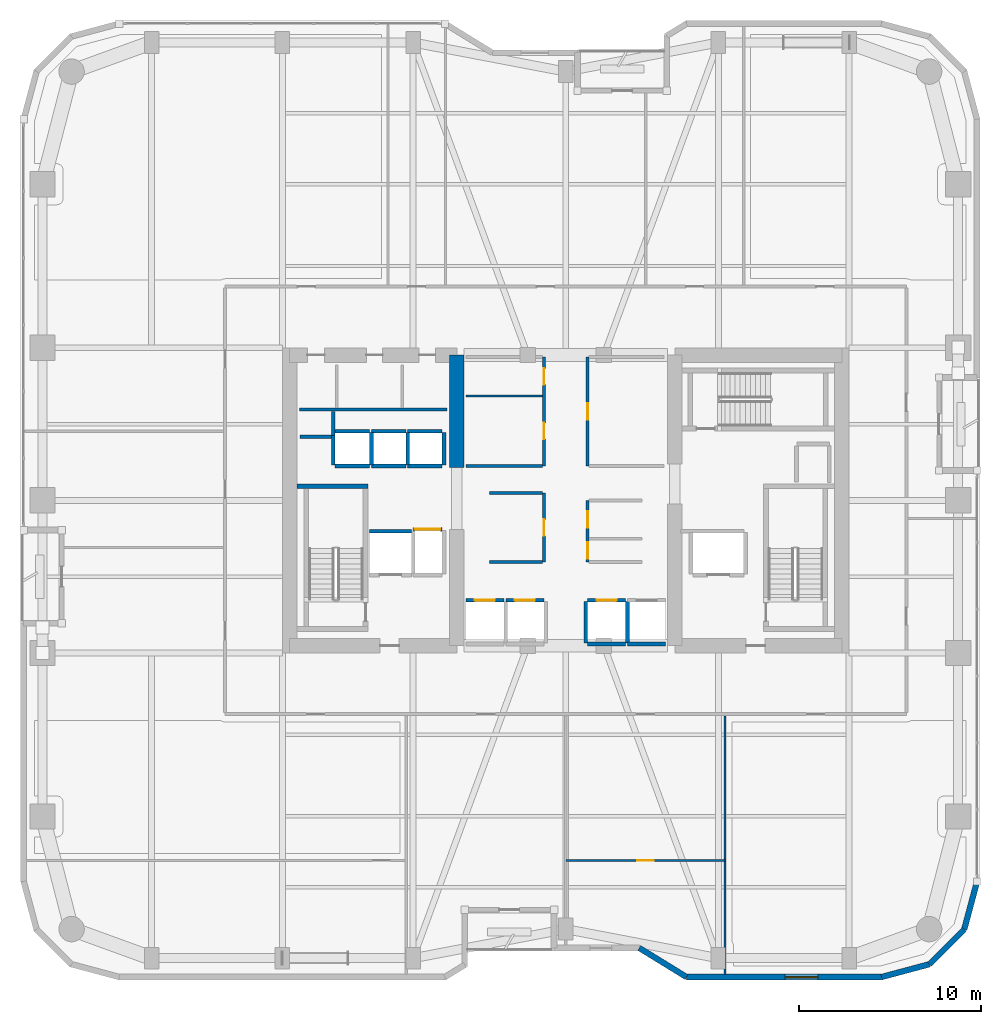
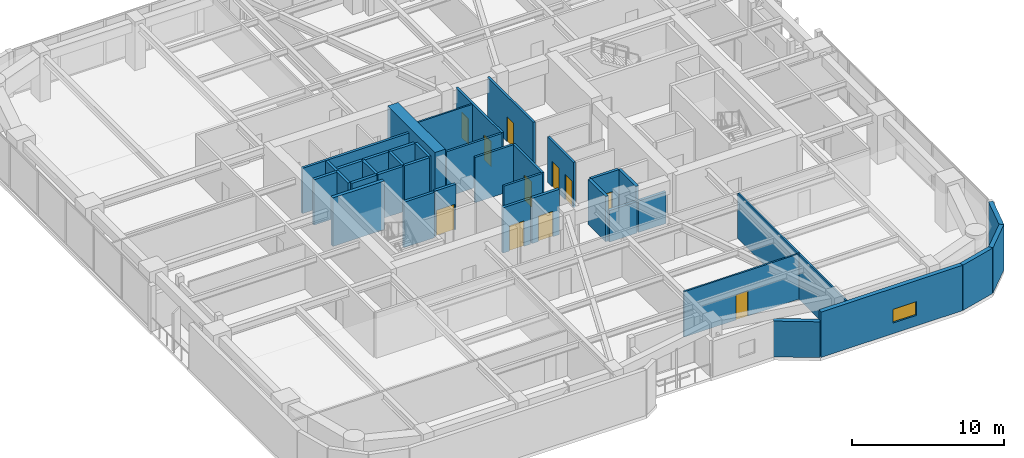
# One storey, part 19 of 24: 39 walls, 11 doors, 1 window, 12 openings.
"""IFC4 building model written with IfcOpenShell, lengths in metres."""

import ifcopenshell
import ifcopenshell.guid

model = None  # the IFC model being written
_history = None  # IfcOwnerHistory: only IFC2X3 demands one
_inside = {}  # id of a spatial element -> (the spatial element, [elements in it])
_under = {}  # id of a project, library or spatial element -> (it, [spatial elements below it])
_declared = {}  # id of a project -> (the project, [libraries it declares])
_typed = {}  # id of a type object -> (the type object, [elements of that type])
_made_of = {}  # id of a material, layer set ... -> (it, [elements and type objects made of it])


def new_model(schema):
    """Start an empty IFC model of exactly this schema.

    Asked for "IFC4X3", IfcOpenShell would pick the latest addendum, in which some entities
    have other attributes; the version numbers below select the first issue.
    IFC2X3 requires an IfcOwnerHistory on every rooted entity: one is made here for all.
    """
    global model, _history
    if schema == "IFC4X3":
        model = ifcopenshell.file(schema_version=(4, 3, 0, 0))
    else:
        model = ifcopenshell.file(schema=schema)
    _inside.clear()
    _under.clear()
    _declared.clear()
    _typed.clear()
    _made_of.clear()
    _history = None
    if model.schema == "IFC2X3":
        org = make("IfcOrganization", Name="unknown")
        user = make(
            "IfcPersonAndOrganization",
            ThePerson=make("IfcPerson", FamilyName="unknown"),
            TheOrganization=org,
        )
        app = make(
            "IfcApplication",
            ApplicationDeveloper=org,
            Version="unknown",
            ApplicationFullName="unknown",
            ApplicationIdentifier="unknown",
        )
        _history = make(
            "IfcOwnerHistory",
            OwningUser=user,
            OwningApplication=app,
            ChangeAction="ADDED",
            CreationDate=0,
        )
    return model


def make(cls, **values):
    """One entity of the class cls with the attributes given. An attribute that is None is left unset."""
    return model.create_entity(
        cls, **{name: value for name, value in values.items() if value is not None}
    )


def rooted(cls, **values):
    """An entity with a GlobalId (a new one), such as an element, a storey or a relation."""
    return make(cls, GlobalId=ifcopenshell.guid.new(), OwnerHistory=_history, **values)


def si_unit(unit_type, name, prefix=None):
    """IfcSIUnit, for example si_unit("LENGTHUNIT", "METRE", prefix="MILLI")."""
    return make("IfcSIUnit", UnitType=unit_type, Prefix=prefix, Name=name)


def assignment(units):
    """IfcUnitAssignment: the units of a project."""
    return None if units is None else make("IfcUnitAssignment", Units=units)


def point(xyz):
    """IfcCartesianPoint."""
    return None if xyz is None else make("IfcCartesianPoint", Coordinates=xyz)


def direction(xyz):
    """IfcDirection."""
    return None if xyz is None else make("IfcDirection", DirectionRatios=xyz)


def frame(location, z_axis=None, x_axis=None):
    """IfcAxis2Placement3D, a coordinate frame: its origin and axes. An axis left out is left unset."""
    return make(
        "IfcAxis2Placement3D",
        Location=point(location),
        Axis=direction(z_axis),
        RefDirection=direction(x_axis),
    )


def frame_2d(location, x_axis=None):
    """IfcAxis2Placement2D, a coordinate frame in the plane: its origin and x axis."""
    return make(
        "IfcAxis2Placement2D", Location=point(location), RefDirection=direction(x_axis)
    )


def origin():
    """The frame at (0, 0, 0) with its axes left unset."""
    return frame((0.0, 0.0, 0.0))


def place(relative_to, where):
    """IfcLocalPlacement: puts the frame where relative to a parent placement (None: the world)."""
    return make(
        "IfcLocalPlacement", PlacementRelTo=relative_to, RelativePlacement=where
    )


def context(
    kind, dimensions, precision=None, world=None, true_north=None, identifier=None
):
    """IfcGeometricRepresentationContext, for example the 3D "Model" context."""
    return make(
        "IfcGeometricRepresentationContext",
        ContextIdentifier=identifier,
        ContextType=kind,
        CoordinateSpaceDimension=dimensions,
        Precision=precision,
        WorldCoordinateSystem=world,
        TrueNorth=true_north,
    )


def subcontext(parent, identifier, kind, view, scale=None):
    """IfcGeometricRepresentationSubContext, for example "Body" below "Model"."""
    return make(
        "IfcGeometricRepresentationSubContext",
        ContextIdentifier=identifier,
        ContextType=kind,
        ParentContext=parent,
        TargetScale=scale,
        TargetView=view,
    )


def project(units=None, contexts=None):
    """IfcProject with its units and contexts."""
    return rooted(
        "IfcProject",
        Name="project",
        RepresentationContexts=contexts,
        UnitsInContext=assignment(units),
    )


def spatial(cls, under=None, at=None, **own):
    """A site, building, storey or space (cls), placed at a placement, below another one or the project."""
    s = rooted(cls, ObjectPlacement=at, **own)
    if under is not None:
        _under.setdefault(under.id(), (under, []))[1].append(s)
    return s


def profile(cls, at=None, kind="AREA", **sizes):
    """A parametric profile (cls). Its sizes go by their IFC names, for example OverallWidth=200.0."""
    return make(cls, ProfileType=kind, Position=at, **sizes)


def rectangle(**sizes):
    """IfcRectangleProfileDef."""
    return profile("IfcRectangleProfileDef", **sizes)


def extrude(swept, where, along, depth):
    """IfcExtrudedAreaSolid: the profile swept, set in the frame where, extruded along a direction by depth."""
    return make(
        "IfcExtrudedAreaSolid",
        SweptArea=swept,
        Position=where,
        ExtrudedDirection=direction(along),
        Depth=depth,
    )


def shape(context_of_items, identifier, shape_type, items):
    """IfcShapeRepresentation: the items that make up one representation, for example the "Body"."""
    return make(
        "IfcShapeRepresentation",
        ContextOfItems=context_of_items,
        RepresentationIdentifier=identifier,
        RepresentationType=shape_type,
        Items=items,
    )


def material(Name=None, Category=None):
    """IfcMaterial."""
    return make("IfcMaterial", Name=Name, Category=Category)


def layer(
    of_material, thickness, ventilated=None, Name=None, Category=None, Priority=None
):
    """IfcMaterialLayer: one layer of a wall or slab, of a material (None: an air gap)."""
    return make(
        "IfcMaterialLayer",
        Material=of_material,
        LayerThickness=thickness,
        IsVentilated=ventilated,
        Name=Name,
        Category=Category,
        Priority=Priority,
    )


def layer_set(layers, Name=None):
    """IfcMaterialLayerSet."""
    return make("IfcMaterialLayerSet", MaterialLayers=layers, LayerSetName=Name)


def made_of(thing, what):
    """Note that an element or type object is made of a material, layer set ...; save() writes the relation."""
    if what is not None:
        _made_of.setdefault(what.id(), (what, []))[1].append(thing)
    return thing


def type_object(cls, material=None, **own):
    """A type object (cls), such as IfcWallType, which elements share."""
    return made_of(rooted(cls, **own), material)


def element(
    cls,
    number,
    at=None,
    inside=None,
    cuts=None,
    type_object=None,
    material=None,
    context=None,
    identifier="Body",
    shape_type=None,
    held_by="IfcProductDefinitionShape",
    body=None,
    shapes=None,
    **own,
):
    """One element of the class cls, such as IfcWall. Its Tag is "e" and its number.

    at: its placement. inside: the storey or other place that contains it. cuts: it is an
    opening in that element (IfcRelVoidsElement). A single representation is given by context,
    identifier, shape_type and body (its items); several are given by shapes. held_by: the class
    of the entity that holds the representations. save() writes the other relations.
    """
    e = rooted(cls, Tag="e%d" % number, ObjectPlacement=at, **own)
    if body is not None:
        shapes = [shape(context, identifier, shape_type, body)]
    if shapes is not None:
        e.Representation = make(held_by, Representations=shapes)
    if inside is not None:
        _inside.setdefault(inside.id(), (inside, []))[1].append(e)
    if cuts is not None:
        rooted(
            "IfcRelVoidsElement", RelatingBuildingElement=cuts, RelatedOpeningElement=e
        )
    if type_object is not None:
        _typed.setdefault(type_object.id(), (type_object, []))[1].append(e)
    return made_of(e, material)


def fill(opening, filler):
    """IfcRelFillsElement: the door or window that sits in an opening."""
    return rooted(
        "IfcRelFillsElement",
        RelatingOpeningElement=opening,
        RelatedBuildingElement=filler,
    )


def aggregate(whole, parts):
    """IfcRelAggregates: a whole, such as a stair, and the parts it consists of."""
    return rooted("IfcRelAggregates", RelatingObject=whole, RelatedObjects=parts)


def save(model, path):
    """Write the relations noted so far, then the file.

    IfcRelAggregates (storeys below a building ...), IfcRelContainedInSpatialStructure (elements
    in a storey), IfcRelDefinesByType, IfcRelAssociatesMaterial and IfcRelDeclares: one each for
    every whole, place, type object, material and project.
    """
    for whole, parts in _under.values():
        aggregate(whole, parts)
    for where, things in _inside.values():
        rooted(
            "IfcRelContainedInSpatialStructure",
            RelatedElements=things,
            RelatingStructure=where,
        )
    for kind, things in _typed.values():
        rooted("IfcRelDefinesByType", RelatedObjects=things, RelatingType=kind)
    for what, things in _made_of.values():
        rooted("IfcRelAssociatesMaterial", RelatedObjects=things, RelatingMaterial=what)
    for by, libraries in _declared.values():
        rooted("IfcRelDeclares", RelatingContext=by, RelatedDefinitions=libraries)
    model.write(path)


model = new_model("IFC4")

# Units and contexts
model_context = context("Model", 3, precision=1e-05, world=origin(), true_north=direction((0.0, 1.0)))
body_context = subcontext(model_context, "Body", "Model", "MODEL_VIEW")
ifc_project = project(units=[si_unit("LENGTHUNIT", "METRE"), si_unit("AREAUNIT", "SQUARE_METRE"), si_unit("VOLUMEUNIT", "CUBIC_METRE"), si_unit("PLANEANGLEUNIT", "RADIAN"), si_unit("MASSUNIT", "GRAM", prefix="KILO")], contexts=[model_context])

# Site, building, storey
site_placement = place(None, origin())
site = spatial("IfcSite", under=ifc_project, at=site_placement, CompositionType="ELEMENT")
building_placement = place(site_placement, origin())
building = spatial("IfcBuilding", under=site, at=building_placement, Name="Kiyonajd Concourse Tower", CompositionType="ELEMENT")
storey_placement = place(building_placement, frame((0.0, 0.0, 93.60009765625)))
storey = spatial("IfcBuildingStorey", under=building, at=storey_placement, Name="L24", CompositionType="ELEMENT", Elevation=93.60009765625)

# Walls
ifc_material_1 = material(Name="Concrete C70/85", Category="concrete")
ifc_layer_1 = layer(ifc_material_1, 0.800048828125)
ifc_layer_set_1 = layer_set([ifc_layer_1], Name="Concrete C70/85")
wall_type_1 = type_object("IfcWallType", Name="WL-CORE-800", PredefinedType="SHEAR", material=ifc_layer_set_1)
wall_1_placement = place(storey_placement, frame((42.0, 37.800048828125, 0.0), z_axis=(0.0, 0.0, 1.0), x_axis=(0.0, 1.0, 0.0)))
element("IfcWall", 1, at=wall_1_placement, inside=storey, type_object=wall_type_1, Name="L24 West Core Inner North Shear Wall", PredefinedType="SHEAR", context=body_context, shape_type="SweptSolid", body=[
    extrude(rectangle(XDim=6.199951171875, YDim=0.800048828125, at=frame_2d((3.10009765625, 0.0))), origin(), (0.0, 0.0, 1.0), 3.89990234375),
])
ifc_material_2 = material(Name="Precast concrete C50/60", Category="concrete")
ifc_layer_2 = layer(ifc_material_2, 0.320068359375)
ifc_layer_set_2 = layer_set([ifc_layer_2], Name="Precast concrete C50/60")
wall_type_2 = type_object("IfcWallType", Name="WL-EXT-320", PredefinedType="SOLIDWALL", material=ifc_layer_set_2)
wall_2_placement = place(storey_placement, frame((70.639892578125, 15.02099609375, 0.0), z_axis=(0.0, 0.0, 1.0), x_axis=(-0.258613949072, -0.965980758269, 0.0)))
element("IfcWall", 2, at=wall_2_placement, inside=storey, type_object=wall_type_2, Name="L24 Exterior Concrete Frame Wall 25", PredefinedType="SOLIDWALL", context=body_context, shape_type="SweptSolid", body=[
    extrude(rectangle(XDim=2.731201171875, YDim=0.320068359375, at=frame_2d((1.36572265625, 0.0))), origin(), (0.0, 0.0, 1.0), 3.639892578125),
])
wall_3_placement = place(storey_placement, frame((69.93359375, 12.3828125, 0.0), z_axis=(0.0, 0.0, 1.0), x_axis=(-0.707151821269, -0.707061738235, 0.0)))
element("IfcWall", 3, at=wall_3_placement, inside=storey, type_object=wall_type_2, Name="L24 Exterior Concrete Frame Wall 26", PredefinedType="SOLIDWALL", context=body_context, shape_type="SweptSolid", body=[
    extrude(rectangle(XDim=2.710205078125, YDim=0.320068359375, at=frame_2d((1.35498046875, 0.0))), origin(), (0.0, 0.0, 1.0), 3.639892578125),
])
wall_4_placement = place(storey_placement, frame((68.01708984375, 10.466552734375, 0.0), z_axis=(0.0, 0.0, 1.0), x_axis=(-0.965958423373, -0.25869736047, 0.0)))
element("IfcWall", 4, at=wall_4_placement, inside=storey, type_object=wall_type_2, Name="L24 Exterior Concrete Frame Wall 27", PredefinedType="SOLIDWALL", context=body_context, shape_type="SweptSolid", body=[
    extrude(rectangle(XDim=2.731201171875, YDim=0.320068359375, at=frame_2d((1.36572265625, 0.0))), origin(), (0.0, 0.0, 1.0), 3.639892578125),
])

# Wall, opening, window
wall_5_placement = place(storey_placement, frame((65.37890625, 9.760009765625, 0.0), z_axis=(0.0, 0.0, 1.0), x_axis=(-1.0, 0.0, 0.0)))
wall_5 = element("IfcWall", 5, at=wall_5_placement, inside=storey, type_object=wall_type_2, Name="L24 Exterior Concrete Frame Wall 28", PredefinedType="SOLIDWALL", context=body_context, shape_type="SweptSolid", body=[
    extrude(rectangle(XDim=10.733642578125, YDim=0.320068359375, at=frame_2d((5.36669921875, 0.0))), origin(), (0.0, 0.0, 1.0), 3.639892578125),
])
opening_1_placement = place(wall_5_placement, frame((3.4990234375, 0.0, 0.85009765625)))
opening_1 = element("IfcOpeningElement", 6, at=opening_1_placement, cuts=wall_5, Name="Opening WN1", PredefinedType="OPENING", context=body_context, shape_type="SweptSolid", body=[
    extrude(rectangle(XDim=1.800048828125, YDim=1.10009765625, at=frame_2d((0.89990234375, 0.550048828125))), frame((0.0, 0.169921875, 0.0), z_axis=(0.0, -1.0, 0.0), x_axis=(1.0, 0.0, 0.0)), (0.0, 0.0, 1.0), 0.340087890625),
])
ifc_material_3 = material(Name="Double Low-E Insulated Glass", Category="glass")
window_type = type_object("IfcWindowType", Name="WN-VIS-1800x1100", PartitioningType="SINGLE_PANEL", PredefinedType="WINDOW", material=ifc_material_3)
window_placement = place(opening_1_placement, origin())
window = element("IfcWindow", 7, at=window_placement, inside=storey, type_object=window_type, Name="L24 Modular Facade Vision Window 28", OverallHeight=1.10009765625, OverallWidth=1.800048828125, PartitioningType="SINGLE_PANEL", PredefinedType="WINDOW", context=body_context, shape_type="SweptSolid", body=[
    extrude(rectangle(XDim=1.800048828125, YDim=1.10009765625, at=frame_2d((0.89990234375, 0.550048828125))), frame((0.0, 0.030029296875, 0.0), z_axis=(0.0, -1.0, 0.0), x_axis=(1.0, 0.0, 0.0)), (0.0, 0.0, 1.0), 0.06005859375),
])
fill(opening_1, window)

# Walls
wall_6_placement = place(storey_placement, frame((54.645263671875, 9.760009765625, 0.0), z_axis=(0.0, 0.0, 1.0), x_axis=(-0.851630857047, 0.524142044989, 0.0)))
element("IfcWall", 8, at=wall_6_placement, inside=storey, type_object=wall_type_2, Name="L24 Exterior Concrete Frame Wall 29", PredefinedType="SOLIDWALL", context=body_context, shape_type="SweptSolid", body=[
    extrude(rectangle(XDim=3.052734375, YDim=0.320068359375, at=frame_2d((1.5263671875, 0.0))), origin(), (0.0, 0.0, 1.0), 2.875),
])
ifc_material_4 = material(Name="Gypsum Board on Cold-Formed Steel Stud", Category="steel")
ifc_layer_3 = layer(ifc_material_4, 0.125)
ifc_layer_set_3 = layer_set([ifc_layer_3], Name="Gypsum Board on Cold-Formed Steel Stud")
wall_type_3 = type_object("IfcWallType", Name="WL-PART-125", PredefinedType="PARTITIONING", material=ifc_layer_set_3)
wall_7_placement = place(storey_placement, frame((42.5, 41.739990234375, 0.0), z_axis=(0.0, 0.0, 1.0), x_axis=(1.0, 0.0, 0.0)))
element("IfcWall", 9, at=wall_7_placement, inside=storey, type_object=wall_type_3, Name="L24 Interior Partition Wall", PredefinedType="PARTITIONING", context=body_context, shape_type="SweptSolid", body=[
    extrude(rectangle(XDim=4.212890625, YDim=0.125, at=frame_2d((2.1064453125, 0.0))), origin(), (0.0, 0.0, 1.0), 3.639892578125),
])

# Wall, opening, door
wall_8_placement = place(storey_placement, frame((48.0, 16.179931640625, 0.0), z_axis=(0.0, 0.0, 1.0), x_axis=(1.0, 0.0, 0.0)))
wall_8 = element("IfcWall", 10, at=wall_8_placement, inside=storey, type_object=wall_type_3, Name="L24 Interior Partition Wall", PredefinedType="PARTITIONING", context=body_context, shape_type="SweptSolid", body=[
    extrude(rectangle(XDim=8.77001953125, YDim=0.125, at=frame_2d((4.385009765625, 0.0))), origin(), (0.0, 0.0, 1.0), 3.639892578125),
])
opening_2_placement = place(wall_8_placement, frame((3.93505859375, 0.0, 0.0)))
opening_2 = element("IfcOpeningElement", 11, at=opening_2_placement, cuts=wall_8, Name="Opening DI2", PredefinedType="OPENING", context=body_context, shape_type="SweptSolid", body=[
    extrude(rectangle(XDim=0.89990234375, YDim=2.02001953125, at=frame_2d((0.449951171875, 1.010009765625))), frame((0.0, 0.072509765625, 0.0), z_axis=(0.0, -1.0, 0.0), x_axis=(1.0, 0.0, 0.0)), (0.0, 0.0, 1.0), 0.14501953125),
])
ifc_material_5 = material(Name="Natural Oak Acoustic Timber Veneer", Category="wood")
door_type_1 = type_object("IfcDoorType", Name="DR-INT-900", OperationType="NOTDEFINED", PredefinedType="DOOR", material=ifc_material_5)
door_1_placement = place(opening_2_placement, origin())
door_1 = element("IfcDoor", 12, at=door_1_placement, inside=storey, type_object=door_type_1, Name="L24 Interior Door", OperationType="SINGLE_SWING_LEFT", OverallHeight=2.02001953125, OverallWidth=0.89990234375, PredefinedType="DOOR", context=body_context, shape_type="SweptSolid", body=[
    extrude(rectangle(XDim=0.89990234375, YDim=2.02001953125, at=frame_2d((0.449951171875, 1.010009765625))), frame((0.0, 0.02490234375, 0.0), z_axis=(0.0, -1.0, 0.0), x_axis=(1.0, 0.0, 0.0)), (0.0, 0.0, 1.0), 0.050048828125),
])
fill(opening_2, door_1)

# Walls
wall_9_placement = place(storey_placement, frame((56.77001953125, 9.9150390625, 0.0), z_axis=(0.0, 0.0, 1.0), x_axis=(0.0, 1.0, 0.0)))
element("IfcWall", 13, at=wall_9_placement, inside=storey, type_object=wall_type_3, Name="L24 Interior Partition Wall", PredefinedType="PARTITIONING", context=body_context, shape_type="SweptSolid", body=[
    extrude(rectangle(XDim=14.22802734375, YDim=0.125, at=frame_2d((7.114013671875, 0.0))), origin(), (0.0, 0.0, 1.0), 3.639892578125),
])
ifc_layer_4 = layer(ifc_material_4, 0.18994140625)
ifc_layer_set_4 = layer_set([ifc_layer_4], Name="Gypsum Board on Cold-Formed Steel Stud")
wall_type_4 = type_object("IfcWallType", Name="WL-PLMB-190", PredefinedType="PLUMBINGWALL", material=ifc_layer_set_4)
wall_10_placement = place(storey_placement, frame((33.35009765625, 41.0, 0.0), z_axis=(0.0, 0.0, 1.0), x_axis=(1.0, 0.0, 0.0)))
element("IfcWall", 14, at=wall_10_placement, inside=storey, type_object=wall_type_4, Name="L24 Interior Partition Wall", PredefinedType="PLUMBINGWALL", context=body_context, shape_type="SweptSolid", body=[
    extrude(rectangle(XDim=8.099853515625, YDim=0.18994140625, at=frame_2d((4.0498046875, 0.0))), origin(), (0.0, 0.0, 1.0), 3.639892578125),
])
ifc_layer_5 = layer(ifc_material_4, 0.2099609375)
ifc_layer_set_5 = layer_set([ifc_layer_5], Name="Gypsum Board on Cold-Formed Steel Stud")
wall_type_5 = type_object("IfcWallType", Name="WL-SHAFT-210", PredefinedType="PARTITIONING", material=ifc_layer_set_5)
wall_11_placement = place(storey_placement, frame((33.360107421875, 39.5, 0.0), z_axis=(0.0, 0.0, 1.0), x_axis=(1.0, 0.0, 0.0)))
element("IfcWall", 15, at=wall_11_placement, inside=storey, type_object=wall_type_5, Name="L24 Shaft Enclosure Wall", PredefinedType="PARTITIONING", context=body_context, shape_type="SweptSolid", body=[
    extrude(rectangle(XDim=1.85986328125, YDim=0.2099609375, at=frame_2d((0.929931640625, 0.0))), origin(), (0.0, 0.0, 1.0), 3.639892578125),
])
wall_12_placement = place(storey_placement, frame((35.199951171875, 39.580078125, 0.0), z_axis=(0.0, 0.0, 1.0), x_axis=(0.0, 1.0, 0.0)))
element("IfcWall", 16, at=wall_12_placement, inside=storey, type_object=wall_type_5, Name="L24 Shaft Enclosure Wall", PredefinedType="PARTITIONING", context=body_context, shape_type="SweptSolid", body=[
    extrude(rectangle(XDim=1.31982421875, YDim=0.2099609375, at=frame_2d((0.659912109375, 0.0))), origin(), (0.0, 0.0, 1.0), 3.639892578125),
])
wall_13_placement = place(storey_placement, frame((37.199951171875, 34.300048828125, 0.0), z_axis=(0.0, 0.0, 1.0), x_axis=(1.0, 0.0, 0.0)))
element("IfcWall", 17, at=wall_13_placement, inside=storey, type_object=wall_type_5, Name="L24 Shaft Enclosure Wall", PredefinedType="PARTITIONING", context=body_context, shape_type="SweptSolid", body=[
    extrude(rectangle(XDim=2.300048828125, YDim=0.2099609375, at=frame_2d((1.14990234375, 0.0))), origin(), (0.0, 0.0, 1.0), 3.639892578125),
])

# Wall, opening, door
wall_14_placement = place(storey_placement, frame((39.60009765625, 34.39990234375, 0.0), z_axis=(0.0, 0.0, 1.0), x_axis=(1.0, 0.0, 0.0)))
wall_14 = element("IfcWall", 18, at=wall_14_placement, inside=storey, type_object=wall_type_5, Name="L24 Shaft Enclosure Wall", PredefinedType="PARTITIONING", context=body_context, shape_type="SweptSolid", body=[
    extrude(rectangle(XDim=1.599853515625, YDim=0.2099609375, at=frame_2d((0.7998046875, 0.0))), origin(), (0.0, 0.0, 1.0), 3.639892578125),
])
opening_3_placement = place(wall_14_placement, frame((0.10009765625, 0.0, 0.0)))
opening_3 = element("IfcOpeningElement", 19, at=opening_3_placement, cuts=wall_14, Name="Opening LD3", PredefinedType="OPENING", context=body_context, shape_type="SweptSolid", body=[
    extrude(rectangle(XDim=1.39990234375, YDim=2.06005859375, at=frame_2d((0.699951171875, 1.030029296875))), frame((0.0, 0.114990234375, 0.0), z_axis=(0.0, -1.0, 0.0), x_axis=(1.0, 0.0, 0.0)), (0.0, 0.0, 1.0), 0.22998046875),
])
ifc_material_6 = material(Name="Brushed Stainless Steel Cab Assembly", Category="steel")
door_type_2 = type_object("IfcDoorType", Name="DR-LD-1400", OperationType="DOUBLE_DOOR_SLIDING", PredefinedType="DOOR", material=ifc_material_6)
door_2_placement = place(opening_3_placement, origin())
door_2 = element("IfcDoor", 20, at=door_2_placement, inside=storey, type_object=door_type_2, Name="L24 Lift SVL1 Sliding Landing Door", OperationType="DOUBLE_DOOR_SLIDING", OverallHeight=2.06005859375, OverallWidth=1.39990234375, PredefinedType="DOOR", context=body_context, shape_type="SweptSolid", body=[
    extrude(rectangle(XDim=1.39990234375, YDim=2.06005859375, at=frame_2d((0.699951171875, 1.030029296875))), frame((0.0, 0.02490234375, 0.0), z_axis=(0.0, -1.0, 0.0), x_axis=(1.0, 0.0, 0.0)), (0.0, 0.0, 1.0), 0.050048828125),
])
fill(opening_3, door_2)

wall_15_placement = place(storey_placement, frame((42.5, 30.5, 0.0), z_axis=(0.0, 0.0, 1.0), x_axis=(1.0, 0.0, 0.0)))
wall_15 = element("IfcWall", 21, at=wall_15_placement, inside=storey, type_object=wall_type_5, Name="L24 Shaft Enclosure Wall", PredefinedType="PARTITIONING", context=body_context, shape_type="SweptSolid", body=[
    extrude(rectangle(XDim=2.10009765625, YDim=0.2099609375, at=frame_2d((1.050048828125, 0.0))), origin(), (0.0, 0.0, 1.0), 3.639892578125),
])
opening_4_placement = place(wall_15_placement, frame((0.5, 0.0, 0.0)))
opening_4 = element("IfcOpeningElement", 22, at=opening_4_placement, cuts=wall_15, Name="Opening LD1", PredefinedType="OPENING", context=body_context, shape_type="SweptSolid", body=[
    extrude(rectangle(XDim=1.10009765625, YDim=2.0400390625, at=frame_2d((0.550048828125, 1.02001953125))), frame((0.0, 0.114990234375, 0.0), z_axis=(0.0, -1.0, 0.0), x_axis=(1.0, 0.0, 0.0)), (0.0, 0.0, 1.0), 0.22998046875),
])
door_type_3 = type_object("IfcDoorType", Name="DR-LD-1100", OperationType="DOUBLE_DOOR_SLIDING", PredefinedType="DOOR", material=ifc_material_6)
door_3_placement = place(opening_4_placement, origin())
door_3 = element("IfcDoor", 23, at=door_3_placement, inside=storey, type_object=door_type_3, Name="L24 Lift PL-L1 Sliding Landing Door", OperationType="DOUBLE_DOOR_SLIDING", OverallHeight=2.0400390625, OverallWidth=1.10009765625, PredefinedType="DOOR", context=body_context, shape_type="SweptSolid", body=[
    extrude(rectangle(XDim=1.10009765625, YDim=2.0400390625, at=frame_2d((0.550048828125, 1.02001953125))), frame((0.0, 0.02490234375, 0.0), z_axis=(0.0, -1.0, 0.0), x_axis=(1.0, 0.0, 0.0)), (0.0, 0.0, 1.0), 0.050048828125),
])
fill(opening_4, door_3)

wall_16_placement = place(storey_placement, frame((44.699951171875, 30.5, 0.0), z_axis=(0.0, 0.0, 1.0), x_axis=(1.0, 0.0, 0.0)))
wall_16 = element("IfcWall", 24, at=wall_16_placement, inside=storey, type_object=wall_type_5, Name="L24 Shaft Enclosure Wall", PredefinedType="PARTITIONING", context=body_context, shape_type="SweptSolid", body=[
    extrude(rectangle(XDim=2.10009765625, YDim=0.2099609375, at=frame_2d((1.050048828125, 0.0))), origin(), (0.0, 0.0, 1.0), 3.639892578125),
])
opening_5_placement = place(wall_16_placement, frame((0.5, 0.0, 0.0)))
opening_5 = element("IfcOpeningElement", 25, at=opening_5_placement, cuts=wall_16, Name="Opening LD1", PredefinedType="OPENING", context=body_context, shape_type="SweptSolid", body=[
    extrude(rectangle(XDim=1.10009765625, YDim=2.0400390625, at=frame_2d((0.550048828125, 1.02001953125))), frame((0.0, 0.114990234375, 0.0), z_axis=(0.0, -1.0, 0.0), x_axis=(1.0, 0.0, 0.0)), (0.0, 0.0, 1.0), 0.22998046875),
])
door_4_placement = place(opening_5_placement, origin())
door_4 = element("IfcDoor", 26, at=door_4_placement, inside=storey, type_object=door_type_3, Name="L24 Lift PL-L2 Sliding Landing Door", OperationType="DOUBLE_DOOR_SLIDING", OverallHeight=2.0400390625, OverallWidth=1.10009765625, PredefinedType="DOOR", context=body_context, shape_type="SweptSolid", body=[
    extrude(rectangle(XDim=1.10009765625, YDim=2.0400390625, at=frame_2d((0.550048828125, 1.02001953125))), frame((0.0, 0.02490234375, 0.0), z_axis=(0.0, -1.0, 0.0), x_axis=(1.0, 0.0, 0.0)), (0.0, 0.0, 1.0), 0.050048828125),
])
fill(opening_5, door_4)

wall_17_placement = place(storey_placement, frame((49.199951171875, 30.5, 0.0), z_axis=(0.0, 0.0, 1.0), x_axis=(1.0, 0.0, 0.0)))
wall_17 = element("IfcWall", 27, at=wall_17_placement, inside=storey, type_object=wall_type_5, Name="L24 Shaft Enclosure Wall", PredefinedType="PARTITIONING", context=body_context, shape_type="SweptSolid", body=[
    extrude(rectangle(XDim=2.10009765625, YDim=0.2099609375, at=frame_2d((1.050048828125, 0.0))), origin(), (0.0, 0.0, 1.0), 3.639892578125),
])
opening_6_placement = place(wall_17_placement, frame((0.5, 0.0, 0.0)))
opening_6 = element("IfcOpeningElement", 28, at=opening_6_placement, cuts=wall_17, Name="Opening LD1", PredefinedType="OPENING", context=body_context, shape_type="SweptSolid", body=[
    extrude(rectangle(XDim=1.10009765625, YDim=2.0400390625, at=frame_2d((0.550048828125, 1.02001953125))), frame((0.0, 0.114990234375, 0.0), z_axis=(0.0, -1.0, 0.0), x_axis=(1.0, 0.0, 0.0)), (0.0, 0.0, 1.0), 0.22998046875),
])
door_5_placement = place(opening_6_placement, origin())
door_5 = element("IfcDoor", 29, at=door_5_placement, inside=storey, type_object=door_type_3, Name="L24 Lift PL-L3 Sliding Landing Door", OperationType="DOUBLE_DOOR_SLIDING", OverallHeight=2.0400390625, OverallWidth=1.10009765625, PredefinedType="DOOR", context=body_context, shape_type="SweptSolid", body=[
    extrude(rectangle(XDim=1.10009765625, YDim=2.0400390625, at=frame_2d((0.550048828125, 1.02001953125))), frame((0.0, 0.02490234375, 0.0), z_axis=(0.0, -1.0, 0.0), x_axis=(1.0, 0.0, 0.0)), (0.0, 0.0, 1.0), 0.050048828125),
])
fill(opening_6, door_5)

# Walls
wall_18_placement = place(storey_placement, frame((49.199951171875, 28.10009765625, 0.0), z_axis=(0.0, 0.0, 1.0), x_axis=(1.0, 0.0, 0.0)))
element("IfcWall", 30, at=wall_18_placement, inside=storey, type_object=wall_type_5, Name="L24 Shaft Enclosure Wall", PredefinedType="PARTITIONING", context=body_context, shape_type="SweptSolid", body=[
    extrude(rectangle(XDim=2.10009765625, YDim=0.2099609375, at=frame_2d((1.050048828125, 0.0))), origin(), (0.0, 0.0, 1.0), 2.52490234375),
])
for number, where, z_axis, x_axis, name in (
    (31, (49.10009765625, 28.159912109375, 0.0), (0.0, 0.0, 1.0), (0.0, 1.0, 0.0), "L24 Shaft Enclosure Wall"),
    (32, (51.39990234375, 28.159912109375, 0.0), (0.0, 0.0, 1.0), (0.0, 1.0, 0.0), "L24 Shaft Enclosure Wall"),
):
    element("IfcWall", number, at=place(storey_placement, frame(where, z_axis=z_axis, x_axis=x_axis)), inside=storey, type_object=wall_type_5, Name=name, PredefinedType="PARTITIONING", context=body_context, shape_type="SweptSolid", body=[
        extrude(rectangle(XDim=2.280029296875, YDim=0.2099609375, at=frame_2d((1.14013671875, 0.0))), origin(), (0.0, 0.0, 1.0), 3.639892578125),
    ])
wall_19_placement = place(storey_placement, frame((51.39990234375, 28.10009765625, 0.0), z_axis=(0.0, 0.0, 1.0), x_axis=(1.0, 0.0, 0.0)))
element("IfcWall", 33, at=wall_19_placement, inside=storey, type_object=wall_type_5, Name="L24 Shaft Enclosure Wall", PredefinedType="PARTITIONING", context=body_context, shape_type="SweptSolid", body=[
    extrude(rectangle(XDim=2.10009765625, YDim=0.2099609375, at=frame_2d((1.050048828125, 0.0))), origin(), (0.0, 0.0, 1.0), 2.52490234375),
])
for number, where, z_axis, x_axis, name in (
    (34, (35.300048828125, 37.89990234375, 0.0), (0.0, 0.0, 1.0), (1.0, 0.0, 0.0), "L24 Shaft Enclosure Wall"),
    (35, (35.300048828125, 39.800048828125, 0.0), (0.0, 0.0, 1.0), (1.0, 0.0, 0.0), "L24 Shaft Enclosure Wall"),
):
    element("IfcWall", number, at=place(storey_placement, frame(where, z_axis=z_axis, x_axis=x_axis)), inside=storey, type_object=wall_type_5, Name=name, PredefinedType="PARTITIONING", context=body_context, shape_type="SweptSolid", body=[
        extrude(rectangle(XDim=1.89990234375, YDim=0.2099609375, at=frame_2d((0.949951171875, 0.0))), origin(), (0.0, 0.0, 1.0), 3.639892578125),
    ])
wall_20_placement = place(storey_placement, frame((35.199951171875, 37.9599609375, 0.0), z_axis=(0.0, 0.0, 1.0), x_axis=(0.0, 1.0, 0.0)))
element("IfcWall", 36, at=wall_20_placement, inside=storey, type_object=wall_type_5, Name="L24 Shaft Enclosure Wall", PredefinedType="PARTITIONING", context=body_context, shape_type="SweptSolid", body=[
    extrude(rectangle(XDim=1.6201171875, YDim=0.2099609375, at=frame_2d((0.81005859375, 0.0))), origin(), (0.0, 0.0, 1.0), 3.639892578125),
])
wall_21_placement = place(storey_placement, frame((37.300048828125, 37.9599609375, 0.0), z_axis=(0.0, 0.0, 1.0), x_axis=(0.0, 1.0, 0.0)))
element("IfcWall", 37, at=wall_21_placement, inside=storey, type_object=wall_type_5, Name="L24 Shaft Enclosure Wall", PredefinedType="PARTITIONING", context=body_context, shape_type="SweptSolid", body=[
    extrude(rectangle(XDim=1.780029296875, YDim=0.2099609375, at=frame_2d((0.89013671875, 0.0))), origin(), (0.0, 0.0, 1.0), 3.639892578125),
])
for number, where, z_axis, x_axis, name in (
    (38, (37.300048828125, 37.89990234375, 0.0), (0.0, 0.0, 1.0), (1.0, 0.0, 0.0), "L24 Shaft Enclosure Wall"),
    (39, (37.300048828125, 39.800048828125, 0.0), (0.0, 0.0, 1.0), (1.0, 0.0, 0.0), "L24 Shaft Enclosure Wall"),
):
    element("IfcWall", number, at=place(storey_placement, frame(where, z_axis=z_axis, x_axis=x_axis)), inside=storey, type_object=wall_type_5, Name=name, PredefinedType="PARTITIONING", context=body_context, shape_type="SweptSolid", body=[
        extrude(rectangle(XDim=1.89990234375, YDim=0.2099609375, at=frame_2d((0.949951171875, 0.0))), origin(), (0.0, 0.0, 1.0), 3.639892578125),
    ])
wall_22_placement = place(storey_placement, frame((39.300048828125, 37.9599609375, 0.0), z_axis=(0.0, 0.0, 1.0), x_axis=(0.0, 1.0, 0.0)))
element("IfcWall", 40, at=wall_22_placement, inside=storey, type_object=wall_type_5, Name="L24 Shaft Enclosure Wall", PredefinedType="PARTITIONING", context=body_context, shape_type="SweptSolid", body=[
    extrude(rectangle(XDim=1.780029296875, YDim=0.2099609375, at=frame_2d((0.89013671875, 0.0))), origin(), (0.0, 0.0, 1.0), 3.639892578125),
])
for number, where, z_axis, x_axis, name in (
    (41, (39.300048828125, 37.89990234375, 0.0), (0.0, 0.0, 1.0), (1.0, 0.0, 0.0), "L24 Shaft Enclosure Wall"),
    (42, (39.300048828125, 39.800048828125, 0.0), (0.0, 0.0, 1.0), (1.0, 0.0, 0.0), "L24 Shaft Enclosure Wall"),
):
    element("IfcWall", number, at=place(storey_placement, frame(where, z_axis=z_axis, x_axis=x_axis)), inside=storey, type_object=wall_type_5, Name=name, PredefinedType="PARTITIONING", context=body_context, shape_type="SweptSolid", body=[
        extrude(rectangle(XDim=1.89990234375, YDim=0.2099609375, at=frame_2d((0.949951171875, 0.0))), origin(), (0.0, 0.0, 1.0), 3.639892578125),
    ])
wall_23_placement = place(storey_placement, frame((41.300048828125, 37.9599609375, 0.0), z_axis=(0.0, 0.0, 1.0), x_axis=(0.0, 1.0, 0.0)))
element("IfcWall", 43, at=wall_23_placement, inside=storey, type_object=wall_type_5, Name="L24 Shaft Enclosure Wall", PredefinedType="PARTITIONING", context=body_context, shape_type="SweptSolid", body=[
    extrude(rectangle(XDim=1.780029296875, YDim=0.2099609375, at=frame_2d((0.89013671875, 0.0))), origin(), (0.0, 0.0, 1.0), 3.639892578125),
])

# Wall, opening, door
ifc_layer_6 = layer(ifc_material_4, 0.169921875)
ifc_layer_set_6 = layer_set([ifc_layer_6], Name="Gypsum Board on Cold-Formed Steel Stud")
wall_type_6 = type_object("IfcWallType", Name="WL-SMK-170", PredefinedType="PARTITIONING", material=ifc_layer_set_6)
wall_24_placement = place(storey_placement, frame((46.800048828125, 32.60009765625, 0.0), z_axis=(0.0, 0.0, 1.0), x_axis=(0.0, 1.0, 0.0)))
wall_24 = element("IfcWall", 44, at=wall_24_placement, inside=storey, type_object=wall_type_6, Name="L24 Interior Partition Wall", PredefinedType="PARTITIONING", context=body_context, shape_type="SweptSolid", body=[
    extrude(rectangle(XDim=3.7998046875, YDim=0.169921875, at=frame_2d((1.89990234375, 0.0))), origin(), (0.0, 0.0, 1.0), 3.639892578125),
])
opening_7_placement = place(wall_24_placement, frame((1.449951171875, 0.0, 0.0)))
opening_7 = element("IfcOpeningElement", 45, at=opening_7_placement, cuts=wall_24, Name="Opening DI2", PredefinedType="OPENING", context=body_context, shape_type="SweptSolid", body=[
    extrude(rectangle(XDim=0.89990234375, YDim=2.02001953125, at=frame_2d((0.449951171875, 1.010009765625))), frame((0.0, 0.094970703125, 0.0), z_axis=(0.0, -1.0, 0.0), x_axis=(1.0, 0.0, 0.0)), (0.0, 0.0, 1.0), 0.18994140625),
])
door_6_placement = place(opening_7_placement, origin())
door_6 = element("IfcDoor", 46, at=door_6_placement, inside=storey, type_object=door_type_1, Name="L24 Interior Door", OperationType="SINGLE_SWING_RIGHT", OverallHeight=2.02001953125, OverallWidth=0.89990234375, PredefinedType="DOOR", context=body_context, shape_type="SweptSolid", body=[
    extrude(rectangle(XDim=0.89990234375, YDim=2.02001953125, at=frame_2d((0.449951171875, 1.010009765625))), frame((0.0, 0.02490234375, 0.0), z_axis=(0.0, -1.0, 0.0), x_axis=(1.0, 0.0, 0.0)), (0.0, 0.0, 1.0), 0.050048828125),
])
fill(opening_7, door_6)

# Walls
for number, where, z_axis, x_axis, name in (
    (47, (43.800048828125, 32.60009765625, 0.0), (0.0, 0.0, 1.0), (1.0, 0.0, 0.0), "L24 Interior Partition Wall"),
    (48, (43.800048828125, 36.39990234375, 0.0), (0.0, 0.0, 1.0), (1.0, 0.0, 0.0), "L24 Interior Partition Wall"),
):
    element("IfcWall", number, at=place(storey_placement, frame(where, z_axis=z_axis, x_axis=x_axis)), inside=storey, type_object=wall_type_6, Name=name, PredefinedType="PARTITIONING", context=body_context, shape_type="SweptSolid", body=[
        extrude(rectangle(XDim=2.912841796875, YDim=0.169921875, at=frame_2d((1.45654296875, 0.0))), origin(), (0.0, 0.0, 1.0), 3.639892578125),
    ])

# Wall, openings, doors
wall_25_placement = place(storey_placement, frame((49.199951171875, 32.60009765625, 0.0), z_axis=(0.0, 0.0, 1.0), x_axis=(0.0, 1.0, 0.0)))
wall_25 = element("IfcWall", 49, at=wall_25_placement, inside=storey, type_object=wall_type_6, Name="L24 Interior Partition Wall", PredefinedType="PARTITIONING", context=body_context, shape_type="SweptSolid", body=[
    extrude(rectangle(XDim=3.39990234375, YDim=0.169921875, at=frame_2d((1.699951171875, 0.0))), origin(), (0.0, 0.0, 1.0), 3.639892578125),
])
opening_8_placement = place(wall_25_placement, frame((0.196044921875, 0.0, 0.0)))
opening_8 = element("IfcOpeningElement", 50, at=opening_8_placement, cuts=wall_25, Name="Opening DI2", PredefinedType="OPENING", context=body_context, shape_type="SweptSolid", body=[
    extrude(rectangle(XDim=0.89990234375, YDim=2.02001953125, at=frame_2d((0.449951171875, 1.010009765625))), frame((0.0, 0.094970703125, 0.0), z_axis=(0.0, -1.0, 0.0), x_axis=(1.0, 0.0, 0.0)), (0.0, 0.0, 1.0), 0.18994140625),
])
opening_9_placement = place(wall_25_placement, frame((1.89599609375, 0.0, 0.0)))
opening_9 = element("IfcOpeningElement", 51, at=opening_9_placement, cuts=wall_25, Name="Opening DI2", PredefinedType="OPENING", context=body_context, shape_type="SweptSolid", body=[
    extrude(rectangle(XDim=0.89990234375, YDim=2.02001953125, at=frame_2d((0.449951171875, 1.010009765625))), frame((0.0, 0.094970703125, 0.0), z_axis=(0.0, -1.0, 0.0), x_axis=(1.0, 0.0, 0.0)), (0.0, 0.0, 1.0), 0.18994140625),
])
door_7_placement = place(opening_8_placement, origin())
door_7 = element("IfcDoor", 52, at=door_7_placement, inside=storey, type_object=door_type_1, Name="L24 Interior Door", OperationType="SINGLE_SWING_LEFT", OverallHeight=2.02001953125, OverallWidth=0.89990234375, PredefinedType="DOOR", context=body_context, shape_type="SweptSolid", body=[
    extrude(rectangle(XDim=0.89990234375, YDim=2.02001953125, at=frame_2d((0.449951171875, 1.010009765625))), frame((0.0, 0.02490234375, 0.0), z_axis=(0.0, -1.0, 0.0), x_axis=(1.0, 0.0, 0.0)), (0.0, 0.0, 1.0), 0.050048828125),
])
fill(opening_8, door_7)
door_8_placement = place(opening_9_placement, origin())
door_8 = element("IfcDoor", 53, at=door_8_placement, inside=storey, type_object=door_type_1, Name="L24 Interior Door", OperationType="SINGLE_SWING_RIGHT", OverallHeight=2.02001953125, OverallWidth=0.89990234375, PredefinedType="DOOR", context=body_context, shape_type="SweptSolid", body=[
    extrude(rectangle(XDim=0.89990234375, YDim=2.02001953125, at=frame_2d((0.449951171875, 1.010009765625))), frame((0.0, 0.02490234375, 0.0), z_axis=(0.0, -1.0, 0.0), x_axis=(1.0, 0.0, 0.0)), (0.0, 0.0, 1.0), 0.050048828125),
])
fill(opening_9, door_8)

wall_26_placement = place(storey_placement, frame((46.800048828125, 37.89990234375, 0.0), z_axis=(0.0, 0.0, 1.0), x_axis=(0.0, 1.0, 0.0)))
wall_26 = element("IfcWall", 54, at=wall_26_placement, inside=storey, type_object=wall_type_6, Name="L24 Interior Partition Wall", PredefinedType="PARTITIONING", context=body_context, shape_type="SweptSolid", body=[
    extrude(rectangle(XDim=6.0, YDim=0.169921875, at=frame_2d((3.0, 0.0))), origin(), (0.0, 0.0, 1.0), 3.639892578125),
])
opening_10_placement = place(wall_26_placement, frame((1.469970703125, 0.0, 0.0)))
opening_10 = element("IfcOpeningElement", 55, at=opening_10_placement, cuts=wall_26, Name="Opening DF4", PredefinedType="OPENING", context=body_context, shape_type="SweptSolid", body=[
    extrude(rectangle(XDim=0.89990234375, YDim=2.02001953125, at=frame_2d((0.449951171875, 1.010009765625))), frame((0.0, 0.094970703125, 0.0), z_axis=(0.0, -1.0, 0.0), x_axis=(1.0, 0.0, 0.0)), (0.0, 0.0, 1.0), 0.18994140625),
])
opening_11_placement = place(wall_26_placement, frame((4.469970703125, 0.0, 0.0)))
opening_11 = element("IfcOpeningElement", 56, at=opening_11_placement, cuts=wall_26, Name="Opening DF4", PredefinedType="OPENING", context=body_context, shape_type="SweptSolid", body=[
    extrude(rectangle(XDim=0.89990234375, YDim=2.02001953125, at=frame_2d((0.449951171875, 1.010009765625))), frame((0.0, 0.094970703125, 0.0), z_axis=(0.0, -1.0, 0.0), x_axis=(1.0, 0.0, 0.0)), (0.0, 0.0, 1.0), 0.18994140625),
])
door_type_4 = type_object("IfcDoorType", Name="DR-FD60-900", OperationType="NOTDEFINED", PredefinedType="DOOR", material=ifc_material_6)
door_9_placement = place(opening_10_placement, origin())
door_9 = element("IfcDoor", 57, at=door_9_placement, inside=storey, type_object=door_type_4, Name="L24 Interior Door", OperationType="SINGLE_SWING_LEFT", OverallHeight=2.02001953125, OverallWidth=0.89990234375, PredefinedType="DOOR", context=body_context, shape_type="SweptSolid", body=[
    extrude(rectangle(XDim=0.89990234375, YDim=2.02001953125, at=frame_2d((0.449951171875, 1.010009765625))), frame((0.0, 0.02490234375, 0.0), z_axis=(0.0, -1.0, 0.0), x_axis=(1.0, 0.0, 0.0)), (0.0, 0.0, 1.0), 0.050048828125),
])
fill(opening_10, door_9)
door_10_placement = place(opening_11_placement, origin())
door_10 = element("IfcDoor", 58, at=door_10_placement, inside=storey, type_object=door_type_4, Name="L24 Interior Door", OperationType="SINGLE_SWING_RIGHT", OverallHeight=2.02001953125, OverallWidth=0.89990234375, PredefinedType="DOOR", context=body_context, shape_type="SweptSolid", body=[
    extrude(rectangle(XDim=0.89990234375, YDim=2.02001953125, at=frame_2d((0.449951171875, 1.010009765625))), frame((0.0, 0.02490234375, 0.0), z_axis=(0.0, -1.0, 0.0), x_axis=(1.0, 0.0, 0.0)), (0.0, 0.0, 1.0), 0.050048828125),
])
fill(opening_11, door_10)

# Wall
wall_27_placement = place(storey_placement, frame((42.5, 37.89990234375, 0.0), z_axis=(0.0, 0.0, 1.0), x_axis=(1.0, 0.0, 0.0)))
element("IfcWall", 59, at=wall_27_placement, inside=storey, type_object=wall_type_6, Name="L24 Interior Partition Wall", PredefinedType="PARTITIONING", context=body_context, shape_type="SweptSolid", body=[
    extrude(rectangle(XDim=4.212890625, YDim=0.169921875, at=frame_2d((2.1064453125, 0.0))), origin(), (0.0, 0.0, 1.0), 3.639892578125),
])

# Wall, opening, door
wall_28_placement = place(storey_placement, frame((49.199951171875, 37.89990234375, 0.0), z_axis=(0.0, 0.0, 1.0), x_axis=(0.0, 1.0, 0.0)))
wall_28 = element("IfcWall", 60, at=wall_28_placement, inside=storey, type_object=wall_type_6, Name="L24 Interior Partition Wall", PredefinedType="PARTITIONING", context=body_context, shape_type="SweptSolid", body=[
    extrude(rectangle(XDim=6.0, YDim=0.169921875, at=frame_2d((3.0, 0.0))), origin(), (0.0, 0.0, 1.0), 3.639892578125),
])
opening_12_placement = place(wall_28_placement, frame((2.550048828125, 0.0, 0.0)))
opening_12 = element("IfcOpeningElement", 61, at=opening_12_placement, cuts=wall_28, Name="Opening DI2", PredefinedType="OPENING", context=body_context, shape_type="SweptSolid", body=[
    extrude(rectangle(XDim=0.89990234375, YDim=2.02001953125, at=frame_2d((0.449951171875, 1.010009765625))), frame((0.0, 0.094970703125, 0.0), z_axis=(0.0, -1.0, 0.0), x_axis=(1.0, 0.0, 0.0)), (0.0, 0.0, 1.0), 0.18994140625),
])
door_11_placement = place(opening_12_placement, origin())
door_11 = element("IfcDoor", 62, at=door_11_placement, inside=storey, type_object=door_type_1, Name="L24 Interior Door", OperationType="SINGLE_SWING_LEFT", OverallHeight=2.02001953125, OverallWidth=0.89990234375, PredefinedType="DOOR", context=body_context, shape_type="SweptSolid", body=[
    extrude(rectangle(XDim=0.89990234375, YDim=2.02001953125, at=frame_2d((0.449951171875, 1.010009765625))), frame((0.0, 0.02490234375, 0.0), z_axis=(0.0, -1.0, 0.0), x_axis=(1.0, 0.0, 0.0)), (0.0, 0.0, 1.0), 0.050048828125),
])
fill(opening_12, door_11)

# Wall
ifc_material_7 = material(Name="Concrete C50/60", Category="concrete")
ifc_layer_7 = layer(ifc_material_7, 0.260009765625)
ifc_layer_set_7 = layer_set([ifc_layer_7], Name="Concrete C50/60")
wall_type_7 = type_object("IfcWallType", Name="WL-STAIR-260", PredefinedType="SHEAR", material=ifc_layer_set_7)
wall_29_placement = place(storey_placement, frame((33.199951171875, 36.780029296875, 0.0), z_axis=(0.0, 0.0, 1.0), x_axis=(1.0, 0.0, 0.0)))
element("IfcWall", 63, at=wall_29_placement, inside=storey, type_object=wall_type_7, Name="L24 Stair ST1 Structural North Wall", PredefinedType="SHEAR", context=body_context, shape_type="SweptSolid", body=[
    extrude(rectangle(XDim=3.91015625, YDim=0.260009765625, at=frame_2d((1.955078125, 0.0))), origin(), (0.0, 0.0, 1.0), 3.89990234375),
])

save(model, "model.ifc")
